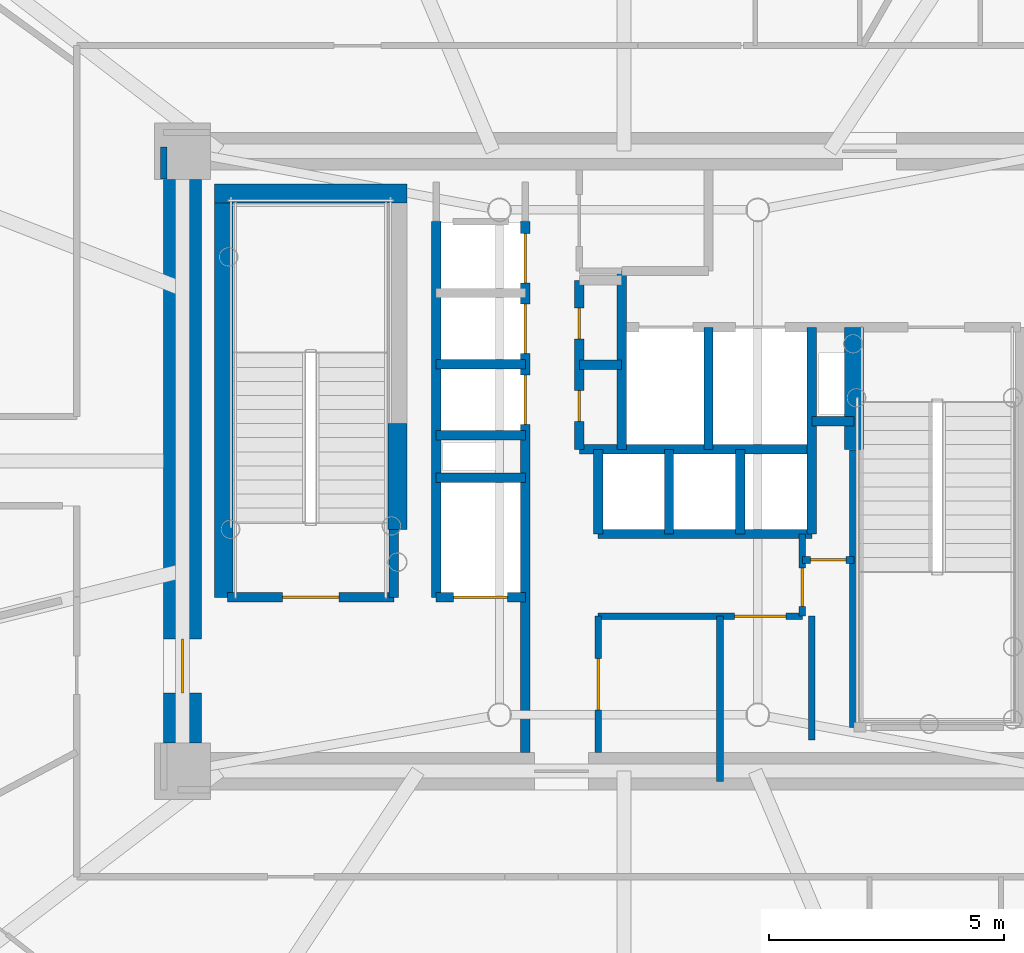
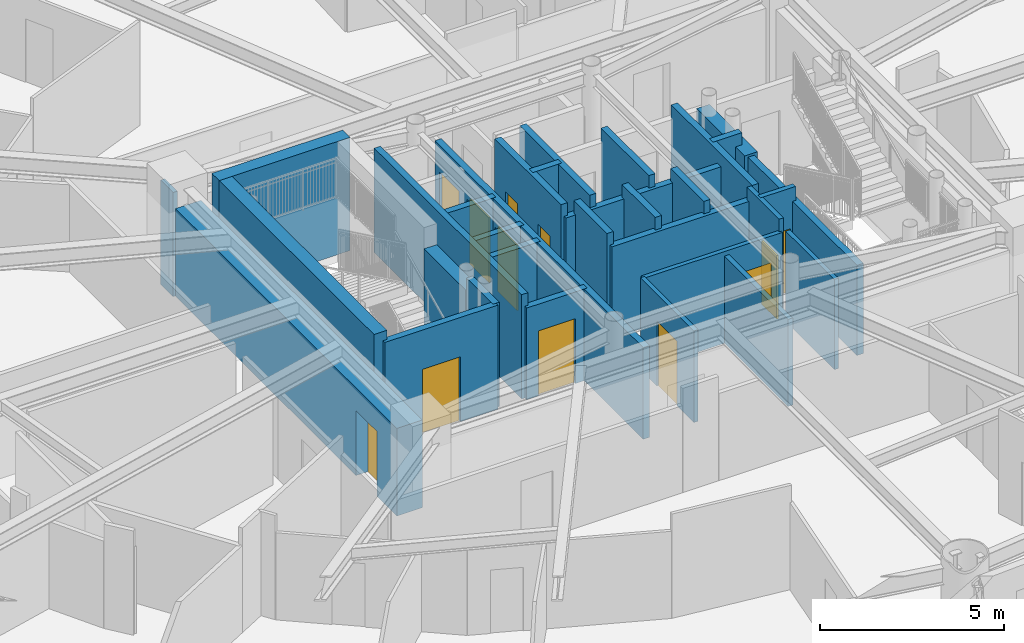
# One storey, part 7 of 17: 32 walls, 12 doors, 12 openings.
"""IFC4 building model written with IfcOpenShell, lengths in metres."""

from ifc_helpers import new_model, si_unit, direction, frame, frame_2d, origin, origin_2d, place, context, subcontext, project, spatial, rectangle, extrude, source, transform, mapped, material, layer, layer_set, type_object, element, fill, save


model = new_model("IFC4")

# Units and contexts
model_context = context("Model", 3, precision=1e-05, world=origin(), true_north=direction((0.0, 1.0)))
body_context = subcontext(model_context, "Body", "Model", "MODEL_VIEW")
ifc_project = project(units=[si_unit("LENGTHUNIT", "METRE"), si_unit("AREAUNIT", "SQUARE_METRE"), si_unit("VOLUMEUNIT", "CUBIC_METRE"), si_unit("PLANEANGLEUNIT", "RADIAN"), si_unit("MASSUNIT", "GRAM", prefix="KILO")], contexts=[model_context])

# Site, building, storey
site_placement = place(None, origin())
site = spatial("IfcSite", under=ifc_project, at=site_placement, CompositionType="ELEMENT")
building_placement = place(site_placement, origin())
building = spatial("IfcBuilding", under=site, at=building_placement, Name="Linh Dai School and Residence Tower", CompositionType="ELEMENT")
storey_placement = place(building_placement, frame((0.0, 0.0, 201.14990234375)))
storey = spatial("IfcBuildingStorey", under=building, at=storey_placement, Name="L49", CompositionType="ELEMENT", Elevation=201.14990234375)

# Wall, opening, door
ifc_material_1 = material(Name="Autoclaved Aerated Concrete Blockwork", Category="masonry")
ifc_layer_1 = layer(ifc_material_1, 0.135009765625)
ifc_layer_set_1 = layer_set([ifc_layer_1], Name="Autoclaved Aerated Concrete Blockwork")
wall_type_1 = type_object("IfcWallType", Name="IW-CORR-135-EI90", PredefinedType="PARTITIONING", material=ifc_layer_set_1)
wall_1_placement = place(storey_placement, frame((35.449951171875, 20.800048828125, 0.0), z_axis=(0.0, 0.0, 1.0), x_axis=(0.0, 1.0, 0.0)))
wall_1 = element("IfcWall", 1, at=wall_1_placement, inside=storey, type_object=wall_type_1, Name="L49 Interior Partition Wall 044", PredefinedType="PARTITIONING", context=body_context, shape_type="SweptSolid", body=[
    extrude(rectangle(XDim=2.89990234375, YDim=0.135009765625, at=frame_2d((1.449951171875, 0.0))), origin(), (0.0, 0.0, 1.0), 3.03515625),
])
opening_1_placement = place(wall_1_placement, frame((0.89990234375, 0.0, 0.0)))
opening_1 = element("IfcOpeningElement", 2, at=opening_1_placement, cuts=wall_1, Name="Opening D07", PredefinedType="OPENING", context=body_context, shape_type="SweptSolid", body=[
    extrude(rectangle(XDim=1.10009765625, YDim=2.14990234375, at=origin_2d()), frame((0.550048828125, 0.07763671875, 1.074951171875), z_axis=(0.0, -1.0, 0.0), x_axis=(1.0, 0.0, 0.0)), (0.0, 0.0, 1.0), 0.155029296875),
])
ifc_material_2 = material(Name="Fire-Rated Louvred Steel Plant Door", Category="steel")
door_type_1 = type_object("IfcDoorType", Name="DR-PLT-1100x2150-FD60S", OperationType="NOTDEFINED", PredefinedType="DOOR", material=ifc_material_2)
shared_shape_1 = source(origin(), body_context, "Body", "SweptSolid", [
    extrude(rectangle(XDim=1.10009765625, YDim=2.14990234375, at=origin_2d()), frame((0.550048828125, 0.02490234375, 1.074951171875), z_axis=(0.0, -1.0, 0.0), x_axis=(1.0, 0.0, 0.0)), (0.0, 0.0, 1.0), 0.050048828125),
])
door_1_placement = place(opening_1_placement, origin())
door_1 = element("IfcDoor", 3, at=door_1_placement, inside=storey, type_object=door_type_1, Name="L49 Floor Electrical Switchroom Door", OperationType="SINGLE_SWING_LEFT", OverallHeight=2.14990234375, OverallWidth=1.10009765625, PredefinedType="DOOR", context=body_context, shape_type="MappedRepresentation", body=[
    mapped(shared_shape_1, transform((0.0, 0.0, 0.0), x_axis=(1.0, 0.0, 0.0), y_axis=(0.0, 1.0, 0.0), z_axis=(0.0, 0.0, 1.0), scale=1.0)),
])
fill(opening_1, door_1)

wall_2_placement = place(storey_placement, frame((35.449951171875, 23.699951171875, 0.0), z_axis=(0.0, 0.0, 1.0), x_axis=(1.0, 0.0, 0.0)))
wall_2 = element("IfcWall", 4, at=wall_2_placement, inside=storey, type_object=wall_type_1, Name="L49 Interior Partition Wall 045", PredefinedType="PARTITIONING", context=body_context, shape_type="SweptSolid", body=[
    extrude(rectangle(XDim=4.35009765625, YDim=0.135009765625, at=frame_2d((2.175048828125, 0.0))), origin(), (0.0, 0.0, 1.0), 3.03515625),
])
opening_2_placement = place(wall_2_placement, frame((2.905029296875, 0.0, 0.0)))
opening_2 = element("IfcOpeningElement", 5, at=opening_2_placement, cuts=wall_2, Name="Opening D07", PredefinedType="OPENING", context=body_context, shape_type="SweptSolid", body=[
    extrude(rectangle(XDim=1.10009765625, YDim=2.14990234375, at=origin_2d()), frame((0.550048828125, 0.07763671875, 1.074951171875), z_axis=(0.0, -1.0, 0.0), x_axis=(1.0, 0.0, 0.0)), (0.0, 0.0, 1.0), 0.155029296875),
])
door_2_placement = place(opening_2_placement, origin())
door_2 = element("IfcDoor", 6, at=door_2_placement, inside=storey, type_object=door_type_1, Name="L49 Telecom Node Room Door", OperationType="SINGLE_SWING_RIGHT", OverallHeight=2.14990234375, OverallWidth=1.10009765625, PredefinedType="DOOR", context=body_context, shape_type="MappedRepresentation", body=[
    mapped(shared_shape_1, transform((0.0, 0.0, 0.0), x_axis=(1.0, 0.0, 0.0), y_axis=(0.0, 1.0, 0.0), z_axis=(0.0, 0.0, 1.0), scale=1.0)),
])
fill(opening_2, door_2)

wall_3_placement = place(storey_placement, frame((39.800048828125, 23.699951171875, 0.0), z_axis=(0.0, 0.0, 1.0), x_axis=(0.0, 1.0, 0.0)))
wall_3 = element("IfcWall", 7, at=wall_3_placement, inside=storey, type_object=wall_type_1, Name="L49 Interior Partition Wall 060", PredefinedType="PARTITIONING", context=body_context, shape_type="SweptSolid", body=[
    extrude(rectangle(XDim=1.75, YDim=0.135009765625, at=frame_2d((0.875, 0.0))), origin(), (0.0, 0.0, 1.0), 3.4501953125),
])
opening_3_placement = place(wall_3_placement, frame((0.2099609375, 0.0, 0.0)))
opening_3 = element("IfcOpeningElement", 8, at=opening_3_placement, cuts=wall_3, Name="Opening D06", PredefinedType="OPENING", context=body_context, shape_type="SweptSolid", body=[
    extrude(rectangle(XDim=0.820068359375, YDim=2.10009765625, at=origin_2d()), frame((0.41015625, 0.07763671875, 1.050048828125), z_axis=(0.0, -1.0, 0.0), x_axis=(1.0, 0.0, 0.0)), (0.0, 0.0, 1.0), 0.155029296875),
])
ifc_material_3 = material(Name="Moisture-Resistant Timber Bathroom Door", Category="wood")
door_type_2 = type_object("IfcDoorType", Name="DR-WET-820x2100", OperationType="NOTDEFINED", PredefinedType="DOOR", material=ifc_material_3)
shared_shape_2 = source(origin(), body_context, "Body", "SweptSolid", [
    extrude(rectangle(XDim=0.820068359375, YDim=2.10009765625, at=origin_2d()), frame((0.41015625, 0.02490234375, 1.050048828125), z_axis=(0.0, -1.0, 0.0), x_axis=(1.0, 0.0, 0.0)), (0.0, 0.0, 1.0), 0.050048828125),
])
door_3_placement = place(opening_3_placement, origin())
door_3 = element("IfcDoor", 9, at=door_3_placement, inside=storey, type_object=door_type_2, Name="L49 SE Electrical Closet Door", OperationType="SINGLE_SWING_RIGHT", OverallHeight=2.10009765625, OverallWidth=0.820068359375, PredefinedType="DOOR", context=body_context, shape_type="MappedRepresentation", body=[
    mapped(shared_shape_2, transform((0.0, 0.0, 0.0), x_axis=(1.0, 0.0, 0.0), y_axis=(0.0, 1.0, 0.0), z_axis=(0.0, 0.0, 1.0), scale=1.0)),
])
fill(opening_3, door_3)

# Walls
wall_4_placement = place(storey_placement, frame((40.0, 23.699951171875, 0.0), z_axis=(0.0, 0.0, 1.0), x_axis=(0.0, -1.0, 0.0)))
element("IfcWall", 10, at=wall_4_placement, inside=storey, type_object=wall_type_1, Name="L49 Interior Partition Wall 096", PredefinedType="PARTITIONING", context=body_context, shape_type="SweptSolid", body=[
    extrude(rectangle(XDim=2.639892578125, YDim=0.135009765625, at=frame_2d((1.31982421875, 0.0))), origin(), (0.0, 0.0, 1.0), 2.985107421875),
])
wall_5_placement = place(storey_placement, frame((26.199951171875, 33.6923828125, 0.0), z_axis=(0.0, 0.0, 1.0), x_axis=(0.0, -1.0, 0.0)))
element("IfcWall", 11, at=wall_5_placement, inside=storey, type_object=wall_type_1, Name="L49 Interior Partition Wall 103", PredefinedType="PARTITIONING", context=body_context, shape_type="SweptSolid", body=[
    extrude(rectangle(XDim=0.682373046875, YDim=0.135009765625, at=frame_2d((0.34130859375, 0.0))), origin(), (0.0, 0.0, 1.0), 3.4501953125),
])
ifc_layer_2 = layer(ifc_material_1, 0.14990234375)
ifc_layer_set_2 = layer_set([ifc_layer_2], Name="Autoclaved Aerated Concrete Blockwork")
wall_type_2 = type_object("IfcWallType", Name="IW-SCH-150-EI60", PredefinedType="PARTITIONING", material=ifc_layer_set_2)
wall_6_placement = place(storey_placement, frame((38.050048828125, 20.179931640625, 0.0), z_axis=(0.0, 0.0, 1.0), x_axis=(0.0, 1.0, 0.0)))
element("IfcWall", 12, at=wall_6_placement, inside=storey, type_object=wall_type_2, Name="L49 Interior Partition Wall 056", PredefinedType="PARTITIONING", context=body_context, shape_type="SweptSolid", body=[
    extrude(rectangle(XDim=3.52001953125, YDim=0.14990234375, at=frame_2d((1.760009765625, 0.0))), origin(), (0.0, 0.0, 1.0), 2.885009765625),
])

# Wall, opening, door
wall_7_placement = place(storey_placement, frame((39.800048828125, 24.89990234375, 0.0), z_axis=(0.0, 0.0, 1.0), x_axis=(1.0, 0.0, 0.0)))
wall_7 = element("IfcWall", 13, at=wall_7_placement, inside=storey, type_object=wall_type_2, Name="L49 Interior Partition Wall 061", PredefinedType="PARTITIONING", context=body_context, shape_type="SweptSolid", body=[
    extrude(rectangle(XDim=1.099853515625, YDim=0.14990234375, at=frame_2d((0.5498046875, 0.0))), origin(), (0.0, 0.0, 1.0), 3.4501953125),
])
opening_4_placement = place(wall_7_placement, frame((0.169921875, 0.0, 0.0)))
opening_4 = element("IfcOpeningElement", 14, at=opening_4_placement, cuts=wall_7, Name="Opening D08", PredefinedType="OPENING", context=body_context, shape_type="SweptSolid", body=[
    extrude(rectangle(XDim=0.760009765625, YDim=2.10009765625, at=origin_2d()), frame((0.3798828125, 0.0849609375, 1.050048828125), z_axis=(0.0, -1.0, 0.0), x_axis=(1.0, 0.0, 0.0)), (0.0, 0.0, 1.0), 0.169921875),
])
ifc_material_4 = material(Name="Engineered Timber Closet and Study Door", Category="wood")
door_type_3 = type_object("IfcDoorType", Name="DR-CMP-760x2100", OperationType="NOTDEFINED", PredefinedType="DOOR", material=ifc_material_4)
shared_shape_3 = source(origin(), body_context, "Body", "SweptSolid", [
    extrude(rectangle(XDim=0.760009765625, YDim=2.10009765625, at=origin_2d()), frame((0.3798828125, 0.02490234375, 1.050048828125), z_axis=(0.0, -1.0, 0.0), x_axis=(1.0, 0.0, 0.0)), (0.0, 0.0, 1.0), 0.050048828125),
])
door_4_placement = place(opening_4_placement, origin())
door_4 = element("IfcDoor", 15, at=door_4_placement, inside=storey, type_object=door_type_3, Name="L49 NE Equipment Store Door", OperationType="SINGLE_SWING_LEFT", OverallHeight=2.10009765625, OverallWidth=0.760009765625, PredefinedType="DOOR", context=body_context, shape_type="MappedRepresentation", body=[
    mapped(shared_shape_3, transform((0.0, 0.0, 0.0), x_axis=(1.0, 0.0, 0.0), y_axis=(0.0, 1.0, 0.0), z_axis=(0.0, 0.0, 1.0), scale=1.0)),
])
fill(opening_4, door_4)

ifc_material_5 = material(Name="Concrete B45 (C35/45)", Category="concrete")
ifc_layer_3 = layer(ifc_material_5, 0.199951171875)
ifc_layer_set_3 = layer_set([ifc_layer_3], Name="Concrete B45 (C35/45)")
wall_type_3 = type_object("IfcWallType", Name="IW-SHAFT-200-EI120", PredefinedType="PARTITIONING", material=ifc_layer_set_3)
wall_8_placement = place(storey_placement, frame((27.56005859375, 24.10009765625, 0.0), z_axis=(0.0, 0.0, 1.0), x_axis=(1.0, 0.0, 0.0)))
wall_8 = element("IfcWall", 16, at=wall_8_placement, inside=storey, type_object=wall_type_3, Name="L49 Interior Partition Wall 026", PredefinedType="PARTITIONING", context=body_context, shape_type="SweptSolid", body=[
    extrude(rectangle(XDim=3.5400390625, YDim=0.199951171875, at=frame_2d((1.77001953125, 0.0))), origin(), (0.0, 0.0, 1.0), 3.4501953125),
])
opening_5_placement = place(wall_8_placement, frame((1.169921875, 0.0, 0.0)))
opening_5 = element("IfcOpeningElement", 17, at=opening_5_placement, cuts=wall_8, Name="Opening D01", PredefinedType="OPENING", context=body_context, shape_type="SweptSolid", body=[
    extrude(rectangle(XDim=1.199951171875, YDim=2.14990234375, at=origin_2d()), frame((0.60009765625, 0.10986328125, 1.074951171875), z_axis=(0.0, -1.0, 0.0), x_axis=(1.0, 0.0, 0.0)), (0.0, 0.0, 1.0), 0.219970703125),
])
ifc_material_6 = material(Name="Fire-Rated Steel Door Leaf", Category="steel")
door_type_4 = type_object("IfcDoorType", Name="DR-STAIR-1200x2150-FD90S", OperationType="NOTDEFINED", PredefinedType="DOOR", material=ifc_material_6)
shared_shape_4 = source(origin(), body_context, "Body", "SweptSolid", [
    extrude(rectangle(XDim=1.199951171875, YDim=2.14990234375, at=origin_2d()), frame((0.60009765625, 0.02490234375, 1.074951171875), z_axis=(0.0, -1.0, 0.0), x_axis=(1.0, 0.0, 0.0)), (0.0, 0.0, 1.0), 0.050048828125),
])
door_5_placement = place(opening_5_placement, origin())
door_5 = element("IfcDoor", 18, at=door_5_placement, inside=storey, type_object=door_type_4, Name="L49 Core Smokeproof Exit Stair ST1 Door", OperationType="SINGLE_SWING_LEFT", OverallHeight=2.14990234375, OverallWidth=1.199951171875, PredefinedType="DOOR", context=body_context, shape_type="MappedRepresentation", body=[
    mapped(shared_shape_4, transform((0.0, 0.0, 0.0), x_axis=(1.0, 0.0, 0.0), y_axis=(0.0, 1.0, 0.0), z_axis=(0.0, 0.0, 1.0), scale=1.0)),
])
fill(opening_5, door_5)

# Walls
wall_9_placement = place(storey_placement, frame((31.10009765625, 24.10009765625, 0.0), z_axis=(0.0, 0.0, 1.0), x_axis=(0.0, 1.0, 0.0)))
element("IfcWall", 19, at=wall_9_placement, inside=storey, type_object=wall_type_3, Name="L49 Interior Partition Wall 028", PredefinedType="PARTITIONING", context=body_context, shape_type="SweptSolid", body=[
    extrude(rectangle(XDim=1.43994140625, YDim=0.199951171875, at=frame_2d((0.719970703125, 0.0))), origin(), (0.0, 0.0, 1.0), 3.4501953125),
])
wall_10_placement = place(storey_placement, frame((32.0, 24.10009765625, 0.0), z_axis=(0.0, 0.0, 1.0), x_axis=(0.0, 1.0, 0.0)))
element("IfcWall", 20, at=wall_10_placement, inside=storey, type_object=wall_type_3, Name="L49 Interior Partition Wall 029", PredefinedType="PARTITIONING", context=body_context, shape_type="SweptSolid", body=[
    extrude(rectangle(XDim=8.0, YDim=0.199951171875, at=frame_2d((4.0, 0.0))), origin(), (0.0, 0.0, 1.0), 3.4501953125),
])

# Wall, opening, door
wall_11_placement = place(storey_placement, frame((32.0, 24.10009765625, 0.0), z_axis=(0.0, 0.0, 1.0), x_axis=(1.0, 0.0, 0.0)))
wall_11 = element("IfcWall", 21, at=wall_11_placement, inside=storey, type_object=wall_type_3, Name="L49 Interior Partition Wall 030", PredefinedType="PARTITIONING", context=body_context, shape_type="SweptSolid", body=[
    extrude(rectangle(XDim=1.89990234375, YDim=0.199951171875, at=frame_2d((0.949951171875, 0.0))), origin(), (0.0, 0.0, 1.0), 3.03515625),
])
opening_6_placement = place(wall_11_placement, frame((0.375, 0.0, 0.0)))
opening_6 = element("IfcOpeningElement", 22, at=opening_6_placement, cuts=wall_11, Name="Opening LD-FF2", PredefinedType="OPENING", context=body_context, shape_type="SweptSolid", body=[
    extrude(rectangle(XDim=1.14990234375, YDim=2.14990234375, at=origin_2d()), frame((0.574951171875, 0.10986328125, 1.074951171875), z_axis=(0.0, -1.0, 0.0), x_axis=(1.0, 0.0, 0.0)), (0.0, 0.0, 1.0), 0.219970703125),
])
ifc_material_7 = material(Name="Fire-Rated Stainless Steel Firefighting Lift Door", Category="steel")
door_type_5 = type_object("IfcDoorType", Name="DR-LD-FF-1150x2150-FD120", OperationType="DOUBLE_DOOR_SLIDING", PredefinedType="USERDEFINED", material=ifc_material_7)
shared_shape_5 = source(origin(), body_context, "Body", "SweptSolid", [
    extrude(rectangle(XDim=1.14990234375, YDim=2.14990234375, at=origin_2d()), frame((0.574951171875, 0.02490234375, 1.074951171875), z_axis=(0.0, -1.0, 0.0), x_axis=(1.0, 0.0, 0.0)), (0.0, 0.0, 1.0), 0.050048828125),
])
door_6_placement = place(opening_6_placement, origin())
door_6 = element("IfcDoor", 23, at=door_6_placement, inside=storey, type_object=door_type_5, Name="L49 Lift FF2 Sliding Landing Door", ObjectType="LANDING DOOR", OperationType="DOUBLE_DOOR_SLIDING", OverallHeight=2.14990234375, OverallWidth=1.14990234375, PredefinedType="USERDEFINED", context=body_context, shape_type="MappedRepresentation", body=[
    mapped(shared_shape_5, transform((0.0, 0.0, 0.0), x_axis=(1.0, 0.0, 0.0), y_axis=(0.0, 1.0, 0.0), z_axis=(0.0, 0.0, 1.0), scale=1.0)),
])
fill(opening_6, door_6)

# Walls
for number, where, z_axis, x_axis, name in (
    (24, (32.0, 26.64990234375, 0.0), (0.0, 0.0, 1.0), (1.0, 0.0, 0.0), "L49 Interior Partition Wall 031"),
    (25, (32.0, 27.550048828125, 0.0), (0.0, 0.0, 1.0), (1.0, 0.0, 0.0), "L49 Interior Partition Wall 032"),
    (26, (32.0, 29.06005859375, 0.0), (0.0, 0.0, 1.0), (1.0, 0.0, 0.0), "L49 Interior Partition Wall 033"),
):
    element("IfcWall", number, at=place(storey_placement, frame(where, z_axis=z_axis, x_axis=x_axis)), inside=storey, type_object=wall_type_3, Name=name, PredefinedType="PARTITIONING", context=body_context, shape_type="SweptSolid", body=[
        extrude(rectangle(XDim=1.89990234375, YDim=0.199951171875, at=frame_2d((0.949951171875, 0.0))), origin(), (0.0, 0.0, 1.0), 3.03515625),
    ])

# Wall, openings, doors
wall_12_placement = place(storey_placement, frame((33.89990234375, 20.800048828125, 0.0), z_axis=(0.0, 0.0, 1.0), x_axis=(0.0, 1.0, 0.0)))
wall_12 = element("IfcWall", 27, at=wall_12_placement, inside=storey, type_object=wall_type_3, Name="L49 Interior Partition Wall 036", PredefinedType="PARTITIONING", context=body_context, shape_type="SweptSolid", body=[
    extrude(rectangle(XDim=11.300048828125, YDim=0.199951171875, at=frame_2d((5.64990234375, 0.0))), origin(), (0.0, 0.0, 1.0), 3.03515625),
])
opening_7_placement = place(wall_12_placement, frame((6.97998046875, 0.0, 0.0)))
opening_7 = element("IfcOpeningElement", 28, at=opening_7_placement, cuts=wall_12, Name="Opening LD-PL4", PredefinedType="OPENING", context=body_context, shape_type="SweptSolid", body=[
    extrude(rectangle(XDim=1.050048828125, YDim=2.14990234375, at=origin_2d()), frame((0.52490234375, 0.10986328125, 1.074951171875), z_axis=(0.0, -1.0, 0.0), x_axis=(1.0, 0.0, 0.0)), (0.0, 0.0, 1.0), 0.219970703125),
])
opening_8_placement = place(wall_12_placement, frame((8.4951171875, 0.0, 0.0)))
opening_8 = element("IfcOpeningElement", 29, at=opening_8_placement, cuts=wall_12, Name="Opening LD-PL5", PredefinedType="OPENING", context=body_context, shape_type="SweptSolid", body=[
    extrude(rectangle(XDim=1.050048828125, YDim=2.14990234375, at=origin_2d()), frame((0.52490234375, 0.10986328125, 1.074951171875), z_axis=(0.0, -1.0, 0.0), x_axis=(1.0, 0.0, 0.0)), (0.0, 0.0, 1.0), 0.219970703125),
])
opening_9_placement = place(wall_12_placement, frame((9.9951171875, 0.0, 0.0)))
opening_9 = element("IfcOpeningElement", 30, at=opening_9_placement, cuts=wall_12, Name="Opening LD-PL6", PredefinedType="OPENING", context=body_context, shape_type="SweptSolid", body=[
    extrude(rectangle(XDim=1.050048828125, YDim=2.14990234375, at=origin_2d()), frame((0.52490234375, 0.10986328125, 1.074951171875), z_axis=(0.0, -1.0, 0.0), x_axis=(1.0, 0.0, 0.0)), (0.0, 0.0, 1.0), 0.219970703125),
])
ifc_material_8 = material(Name="Brushed Stainless Steel Lift Landing Door", Category="steel")
door_type_6 = type_object("IfcDoorType", Name="DR-LD-PASS-1050x2150", OperationType="DOUBLE_DOOR_SLIDING", PredefinedType="USERDEFINED", material=ifc_material_8)
shared_shape_6 = source(origin(), body_context, "Body", "SweptSolid", [
    extrude(rectangle(XDim=1.050048828125, YDim=2.14990234375, at=origin_2d()), frame((0.52490234375, 0.02490234375, 1.074951171875), z_axis=(0.0, -1.0, 0.0), x_axis=(1.0, 0.0, 0.0)), (0.0, 0.0, 1.0), 0.050048828125),
])
door_7_placement = place(opening_7_placement, origin())
door_7 = element("IfcDoor", 31, at=door_7_placement, inside=storey, type_object=door_type_6, Name="L49 Lift PL4 Sliding Landing Door", ObjectType="LANDING DOOR", OperationType="DOUBLE_DOOR_SLIDING", OverallHeight=2.14990234375, OverallWidth=1.050048828125, PredefinedType="USERDEFINED", context=body_context, shape_type="MappedRepresentation", body=[
    mapped(shared_shape_6, transform((0.0, 0.0, 0.0), x_axis=(1.0, 0.0, 0.0), y_axis=(0.0, 1.0, 0.0), z_axis=(0.0, 0.0, 1.0), scale=1.0)),
])
fill(opening_7, door_7)
door_8_placement = place(opening_8_placement, origin())
door_8 = element("IfcDoor", 32, at=door_8_placement, inside=storey, type_object=door_type_6, Name="L49 Lift PL5 Sliding Landing Door", ObjectType="LANDING DOOR", OperationType="DOUBLE_DOOR_SLIDING", OverallHeight=2.14990234375, OverallWidth=1.050048828125, PredefinedType="USERDEFINED", context=body_context, shape_type="MappedRepresentation", body=[
    mapped(shared_shape_6, transform((0.0, 0.0, 0.0), x_axis=(1.0, 0.0, 0.0), y_axis=(0.0, 1.0, 0.0), z_axis=(0.0, 0.0, 1.0), scale=1.0)),
])
fill(opening_8, door_8)
door_9_placement = place(opening_9_placement, origin())
door_9 = element("IfcDoor", 33, at=door_9_placement, inside=storey, type_object=door_type_6, Name="L49 Lift PL6 Sliding Landing Door", ObjectType="LANDING DOOR", OperationType="DOUBLE_DOOR_SLIDING", OverallHeight=2.14990234375, OverallWidth=1.050048828125, PredefinedType="USERDEFINED", context=body_context, shape_type="MappedRepresentation", body=[
    mapped(shared_shape_6, transform((0.0, 0.0, 0.0), x_axis=(1.0, 0.0, 0.0), y_axis=(0.0, 1.0, 0.0), z_axis=(0.0, 0.0, 1.0), scale=1.0)),
])
fill(opening_9, door_9)

wall_13_placement = place(storey_placement, frame((35.050048828125, 27.25, 0.0), z_axis=(0.0, 0.0, 1.0), x_axis=(0.0, 1.0, 0.0)))
wall_13 = element("IfcWall", 34, at=wall_13_placement, inside=storey, type_object=wall_type_3, Name="L49 Interior Partition Wall 038", PredefinedType="PARTITIONING", context=body_context, shape_type="SweptSolid", body=[
    extrude(rectangle(XDim=3.60009765625, YDim=0.199951171875, at=frame_2d((1.800048828125, 0.0))), origin(), (0.0, 0.0, 1.0), 3.4501953125),
])
opening_10_placement = place(wall_13_placement, frame((0.590087890625, 0.0, 0.0)))
opening_10 = element("IfcOpeningElement", 35, at=opening_10_placement, cuts=wall_13, Name="Opening AD1", PredefinedType="OPENING", context=body_context, shape_type="SweptSolid", body=[
    extrude(rectangle(XDim=0.659912109375, YDim=2.050048828125, at=origin_2d()), frame((0.330078125, 0.10986328125, 1.02490234375), z_axis=(0.0, -1.0, 0.0), x_axis=(1.0, 0.0, 0.0)), (0.0, 0.0, 1.0), 0.219970703125),
])
opening_11_placement = place(wall_13_placement, frame((2.35009765625, 0.0, 0.0)))
opening_11 = element("IfcOpeningElement", 36, at=opening_11_placement, cuts=wall_13, Name="Opening AD1", PredefinedType="OPENING", context=body_context, shape_type="SweptSolid", body=[
    extrude(rectangle(XDim=0.659912109375, YDim=2.050048828125, at=origin_2d()), frame((0.330078125, 0.10986328125, 1.02490234375), z_axis=(0.0, -1.0, 0.0), x_axis=(1.0, 0.0, 0.0)), (0.0, 0.0, 1.0), 0.219970703125),
])
ifc_material_9 = material(Name="Fire-Rated Steel Riser Access Door", Category="steel")
door_type_7 = type_object("IfcDoorType", Name="DR-ACC-660x2050-FD90S", OperationType="NOTDEFINED", PredefinedType="USERDEFINED", material=ifc_material_9)
shared_shape_7 = source(origin(), body_context, "Body", "SweptSolid", [
    extrude(rectangle(XDim=0.659912109375, YDim=2.050048828125, at=origin_2d()), frame((0.330078125, 0.02490234375, 1.02490234375), z_axis=(0.0, -1.0, 0.0), x_axis=(1.0, 0.0, 0.0)), (0.0, 0.0, 1.0), 0.050048828125),
])
door_10_placement = place(opening_10_placement, origin())
door_10 = element("IfcDoor", 37, at=door_10_placement, inside=storey, type_object=door_type_7, Name="L49 Telecom and Data Riser Access Door", ObjectType="ACCESS DOOR", OperationType="SINGLE_SWING_LEFT", OverallHeight=2.050048828125, OverallWidth=0.659912109375, PredefinedType="USERDEFINED", context=body_context, shape_type="MappedRepresentation", body=[
    mapped(shared_shape_7, transform((0.0, 0.0, 0.0), x_axis=(1.0, 0.0, 0.0), y_axis=(0.0, 1.0, 0.0), z_axis=(0.0, 0.0, 1.0), scale=1.0)),
])
fill(opening_10, door_10)
door_11_placement = place(opening_11_placement, origin())
door_11 = element("IfcDoor", 38, at=door_11_placement, inside=storey, type_object=door_type_7, Name="L49 Mechanical and Plumbing Riser Access Door", ObjectType="ACCESS DOOR", OperationType="SINGLE_SWING_RIGHT", OverallHeight=2.050048828125, OverallWidth=0.659912109375, PredefinedType="USERDEFINED", context=body_context, shape_type="MappedRepresentation", body=[
    mapped(shared_shape_7, transform((0.0, 0.0, 0.0), x_axis=(1.0, 0.0, 0.0), y_axis=(0.0, 1.0, 0.0), z_axis=(0.0, 0.0, 1.0), scale=1.0)),
])
fill(opening_11, door_11)

# Walls
wall_14_placement = place(storey_placement, frame((35.050048828125, 27.25, 0.0), z_axis=(0.0, 0.0, 1.0), x_axis=(1.0, 0.0, 0.0)))
element("IfcWall", 39, at=wall_14_placement, inside=storey, type_object=wall_type_3, Name="L49 Interior Partition Wall 039", PredefinedType="PARTITIONING", context=body_context, shape_type="SweptSolid", body=[
    extrude(rectangle(XDim=4.949951171875, YDim=0.199951171875, at=frame_2d((2.47509765625, 0.0))), origin(), (0.0, 0.0, 1.0), 3.03515625),
])
wall_15_placement = place(storey_placement, frame((35.050048828125, 29.050048828125, 0.0), z_axis=(0.0, 0.0, 1.0), x_axis=(1.0, 0.0, 0.0)))
element("IfcWall", 40, at=wall_15_placement, inside=storey, type_object=wall_type_3, Name="L49 Interior Partition Wall 040", PredefinedType="PARTITIONING", context=body_context, shape_type="SweptSolid", body=[
    extrude(rectangle(XDim=0.89990234375, YDim=0.199951171875, at=frame_2d((0.449951171875, 0.0))), origin(), (0.0, 0.0, 1.0), 3.4501953125),
])
wall_16_placement = place(storey_placement, frame((35.449951171875, 25.449951171875, 0.0), z_axis=(0.0, 0.0, 1.0), x_axis=(0.0, 1.0, 0.0)))
element("IfcWall", 41, at=wall_16_placement, inside=storey, type_object=wall_type_3, Name="L49 Interior Partition Wall 046", PredefinedType="PARTITIONING", context=body_context, shape_type="SweptSolid", body=[
    extrude(rectangle(XDim=1.800048828125, YDim=0.199951171875, at=frame_2d((0.89990234375, 0.0))), origin(), (0.0, 0.0, 1.0), 3.4501953125),
])
wall_17_placement = place(storey_placement, frame((35.449951171875, 25.449951171875, 0.0), z_axis=(0.0, 0.0, 1.0), x_axis=(1.0, 0.0, 0.0)))
element("IfcWall", 42, at=wall_17_placement, inside=storey, type_object=wall_type_3, Name="L49 Interior Partition Wall 047", PredefinedType="PARTITIONING", context=body_context, shape_type="SweptSolid", body=[
    extrude(rectangle(XDim=4.550048828125, YDim=0.199951171875, at=frame_2d((2.27490234375, 0.0))), origin(), (0.0, 0.0, 1.0), 3.03515625),
])
wall_18_placement = place(storey_placement, frame((35.949951171875, 27.25, 0.0), z_axis=(0.0, 0.0, 1.0), x_axis=(0.0, 1.0, 0.0)))
element("IfcWall", 43, at=wall_18_placement, inside=storey, type_object=wall_type_3, Name="L49 Interior Partition Wall 048", PredefinedType="PARTITIONING", context=body_context, shape_type="SweptSolid", body=[
    extrude(rectangle(XDim=3.800048828125, YDim=0.199951171875, at=frame_2d((1.89990234375, 0.0))), origin(), (0.0, 0.0, 1.0), 3.4501953125),
])
wall_19_placement = place(storey_placement, frame((36.9599609375, 25.449951171875, 0.0), z_axis=(0.0, 0.0, 1.0), x_axis=(0.0, 1.0, 0.0)))
element("IfcWall", 44, at=wall_19_placement, inside=storey, type_object=wall_type_3, Name="L49 Interior Partition Wall 053", PredefinedType="PARTITIONING", context=body_context, shape_type="SweptSolid", body=[
    extrude(rectangle(XDim=1.800048828125, YDim=0.199951171875, at=frame_2d((0.89990234375, 0.0))), origin(), (0.0, 0.0, 1.0), 3.4501953125),
])
wall_20_placement = place(storey_placement, frame((37.800048828125, 27.25, 0.0), z_axis=(0.0, 0.0, 1.0), x_axis=(0.0, 1.0, 0.0)))
element("IfcWall", 45, at=wall_20_placement, inside=storey, type_object=wall_type_3, Name="L49 Interior Partition Wall 054", PredefinedType="PARTITIONING", context=body_context, shape_type="SweptSolid", body=[
    extrude(rectangle(XDim=2.60009765625, YDim=0.199951171875, at=frame_2d((1.300048828125, 0.0))), origin(), (0.0, 0.0, 1.0), 3.4501953125),
])
wall_21_placement = place(storey_placement, frame((38.47998046875, 25.449951171875, 0.0), z_axis=(0.0, 0.0, 1.0), x_axis=(0.0, 1.0, 0.0)))
element("IfcWall", 46, at=wall_21_placement, inside=storey, type_object=wall_type_3, Name="L49 Interior Partition Wall 057", PredefinedType="PARTITIONING", context=body_context, shape_type="SweptSolid", body=[
    extrude(rectangle(XDim=1.800048828125, YDim=0.199951171875, at=frame_2d((0.89990234375, 0.0))), origin(), (0.0, 0.0, 1.0), 3.4501953125),
])
wall_22_placement = place(storey_placement, frame((40.0, 25.449951171875, 0.0), z_axis=(0.0, 0.0, 1.0), x_axis=(0.0, 1.0, 0.0)))
element("IfcWall", 47, at=wall_22_placement, inside=storey, type_object=wall_type_3, Name="L49 Interior Partition Wall 062", PredefinedType="PARTITIONING", context=body_context, shape_type="SweptSolid", body=[
    extrude(rectangle(XDim=4.400146484375, YDim=0.199951171875, at=frame_2d((2.2001953125, 0.0))), origin(), (0.0, 0.0, 1.0), 3.4501953125),
])
wall_23_placement = place(storey_placement, frame((40.0, 27.85009765625, 0.0), z_axis=(0.0, 0.0, 1.0), x_axis=(1.0, 0.0, 0.0)))
element("IfcWall", 48, at=wall_23_placement, inside=storey, type_object=wall_type_3, Name="L49 Interior Partition Wall 063", PredefinedType="PARTITIONING", context=body_context, shape_type="SweptSolid", body=[
    extrude(rectangle(XDim=0.89990234375, YDim=0.199951171875, at=frame_2d((0.449951171875, 0.0))), origin(), (0.0, 0.0, 1.0), 3.4501953125),
])
wall_24_placement = place(storey_placement, frame((40.89990234375, 21.330078125, 0.0), z_axis=(0.0, 0.0, 1.0), x_axis=(0.0, 1.0, 0.0)))
element("IfcWall", 49, at=wall_24_placement, inside=storey, type_object=wall_type_3, Name="L49 Interior Partition Wall 066", PredefinedType="PARTITIONING", context=body_context, shape_type="SweptSolid", body=[
    extrude(rectangle(XDim=5.909912109375, YDim=0.199951171875, at=frame_2d((2.955078125, 0.0))), origin(), (0.0, 0.0, 1.0), 2.985107421875),
])
ifc_layer_4 = layer(ifc_material_5, 0.39990234375)
ifc_layer_set_4 = layer_set([ifc_layer_4], Name="Concrete B45 (C35/45)")
wall_type_4 = type_object("IfcWallType", Name="WL-CORE400", PredefinedType="SHEAR", material=ifc_layer_set_4)
wall_25_placement = place(storey_placement, frame((27.47998046875, 24.10009765625, 0.0), z_axis=(0.0, 0.0, 1.0), x_axis=(0.0, 1.0, 0.0)))
element("IfcWall", 50, at=wall_25_placement, inside=storey, type_object=wall_type_4, Name="L49 Core Stair ST1 Bearing Wall W", PredefinedType="SHEAR", context=body_context, shape_type="SweptSolid", body=[
    extrude(rectangle(XDim=8.599853515625, YDim=0.39990234375, at=frame_2d((4.2998046875, 0.0))), origin(), (0.0, 0.0, 1.0), 3.75),
])
wall_26_placement = place(storey_placement, frame((27.280029296875, 32.699951171875, 0.0), z_axis=(0.0, 0.0, 1.0), x_axis=(1.0, 0.0, 0.0)))
element("IfcWall", 51, at=wall_26_placement, inside=storey, type_object=wall_type_4, Name="L49 Core Stair ST1 Bearing Wall N", PredefinedType="SHEAR", context=body_context, shape_type="SweptSolid", body=[
    extrude(rectangle(XDim=4.099853515625, YDim=0.39990234375, at=frame_2d((2.0498046875, 0.0))), origin(), (0.0, 0.0, 1.0), 3.75),
])
wall_27_placement = place(storey_placement, frame((31.179931640625, 25.550048828125, 0.0), z_axis=(0.0, 0.0, 1.0), x_axis=(0.0, 1.0, 0.0)))
element("IfcWall", 52, at=wall_27_placement, inside=storey, type_object=wall_type_4, Name="L49 Internal Core Shear Wall IW", PredefinedType="SHEAR", context=body_context, shape_type="SweptSolid", body=[
    extrude(rectangle(XDim=2.25, YDim=0.39990234375, at=frame_2d((1.125, 0.0))), origin(), (0.0, 0.0, 1.0), 3.050048828125),
])
wall_28_placement = place(storey_placement, frame((40.89990234375, 27.25, 0.0), z_axis=(0.0, 0.0, 1.0), x_axis=(0.0, 1.0, 0.0)))
element("IfcWall", 53, at=wall_28_placement, inside=storey, type_object=wall_type_4, Name="L49 Internal Core Shear Wall IE", PredefinedType="SHEAR", context=body_context, shape_type="SweptSolid", body=[
    extrude(rectangle(XDim=2.60009765625, YDim=0.39990234375, at=frame_2d((1.300048828125, 0.0))), origin(), (0.0, 0.0, 1.0), 3.050048828125),
])

# Wall, opening, door
ifc_material_10 = material(Name="Concrete B60 (C50/60)", Category="concrete")
ifc_layer_5 = layer(ifc_material_10, 0.800048828125)
ifc_layer_set_5 = layer_set([ifc_layer_5], Name="Concrete B60 (C50/60)")
wall_type_5 = type_object("IfcWallType", Name="WL-CORE800", PredefinedType="SHEAR", material=ifc_layer_set_5)
wall_29_placement = place(storey_placement, frame((26.60009765625, 21.0, 0.0), z_axis=(0.0, 0.0, 1.0), x_axis=(0.0, 1.0, 0.0)))
wall_29 = element("IfcWall", 54, at=wall_29_placement, inside=storey, type_object=wall_type_5, Name="L49 Central Core Shear Wall W", PredefinedType="SHEAR", context=body_context, shape_type="SweptSolid", body=[
    extrude(rectangle(XDim=12.0, YDim=0.800048828125, at=frame_2d((6.0, 0.0))), origin(), (0.0, 0.0, 1.0), 2.900146484375),
])
opening_12_placement = place(wall_29_placement, frame((1.061279296875, 0.0, 0.0)))
opening_12 = element("IfcOpeningElement", 55, at=opening_12_placement, cuts=wall_29, Name="Opening D02", PredefinedType="OPENING", context=body_context, shape_type="SweptSolid", body=[
    extrude(rectangle(XDim=1.14990234375, YDim=2.14990234375, at=origin_2d()), frame((0.574951171875, 0.41015625, 1.074951171875), z_axis=(0.0, -1.0, 0.0), x_axis=(1.0, 0.0, 0.0)), (0.0, 0.0, 1.0), 0.820068359375),
])
ifc_material_11 = material(Name="Fire-Rated Glazed Steel Lobby Door", Category="steel")
door_type_8 = type_object("IfcDoorType", Name="DR-LOBBY-1150x2150-FD90S", OperationType="NOTDEFINED", PredefinedType="DOOR", material=ifc_material_11)
shared_shape_8 = source(origin(), body_context, "Body", "SweptSolid", [
    extrude(rectangle(XDim=1.14990234375, YDim=2.14990234375, at=origin_2d()), frame((0.574951171875, 0.02490234375, 1.074951171875), z_axis=(0.0, -1.0, 0.0), x_axis=(1.0, 0.0, 0.0)), (0.0, 0.0, 1.0), 0.050048828125),
])
door_12_placement = place(opening_12_placement, origin())
door_12 = element("IfcDoor", 56, at=door_12_placement, inside=storey, type_object=door_type_8, Name="L49 Firefighting Lobby Door", OperationType="SINGLE_SWING_RIGHT", OverallHeight=2.14990234375, OverallWidth=1.14990234375, PredefinedType="DOOR", context=body_context, shape_type="MappedRepresentation", body=[
    mapped(shared_shape_8, transform((0.0, 0.0, 0.0), x_axis=(1.0, 0.0, 0.0), y_axis=(0.0, 1.0, 0.0), z_axis=(0.0, 0.0, 1.0), scale=1.0)),
])
fill(opening_12, door_12)

save(model, "model.ifc")
